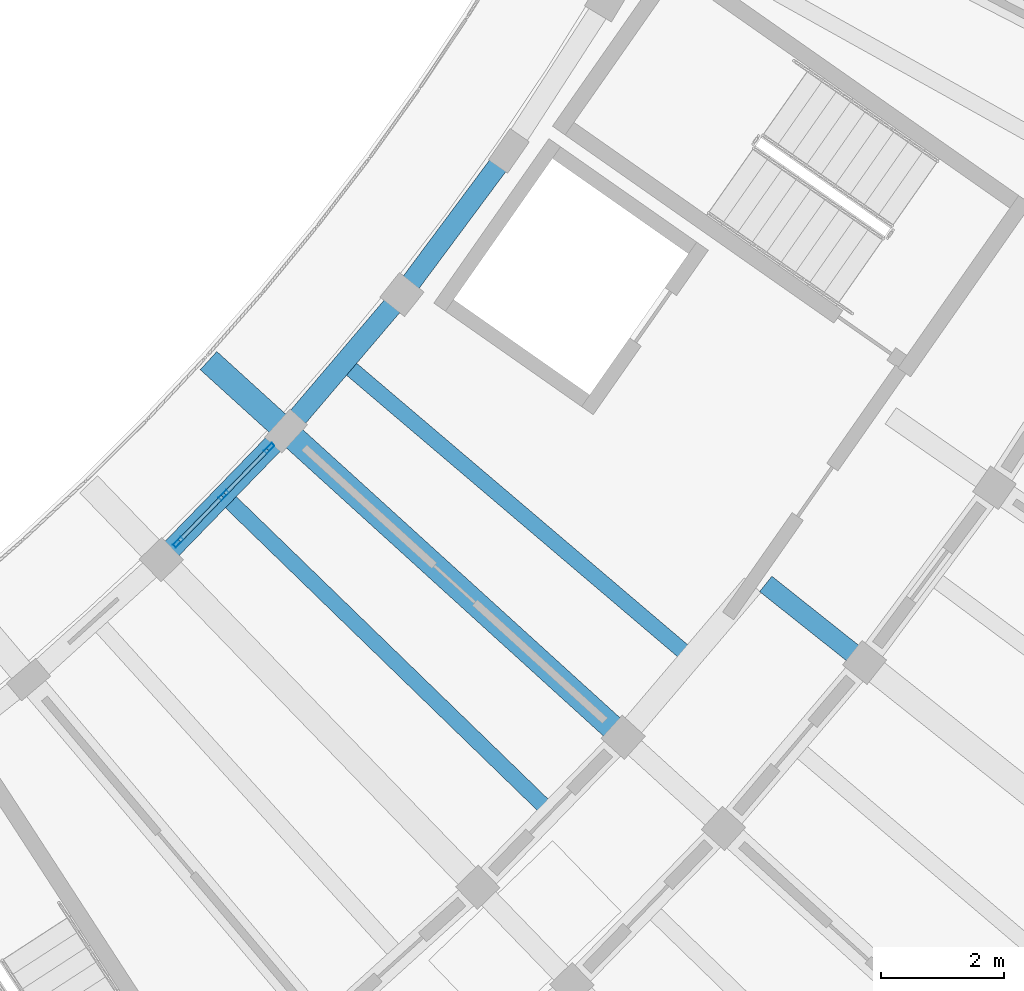
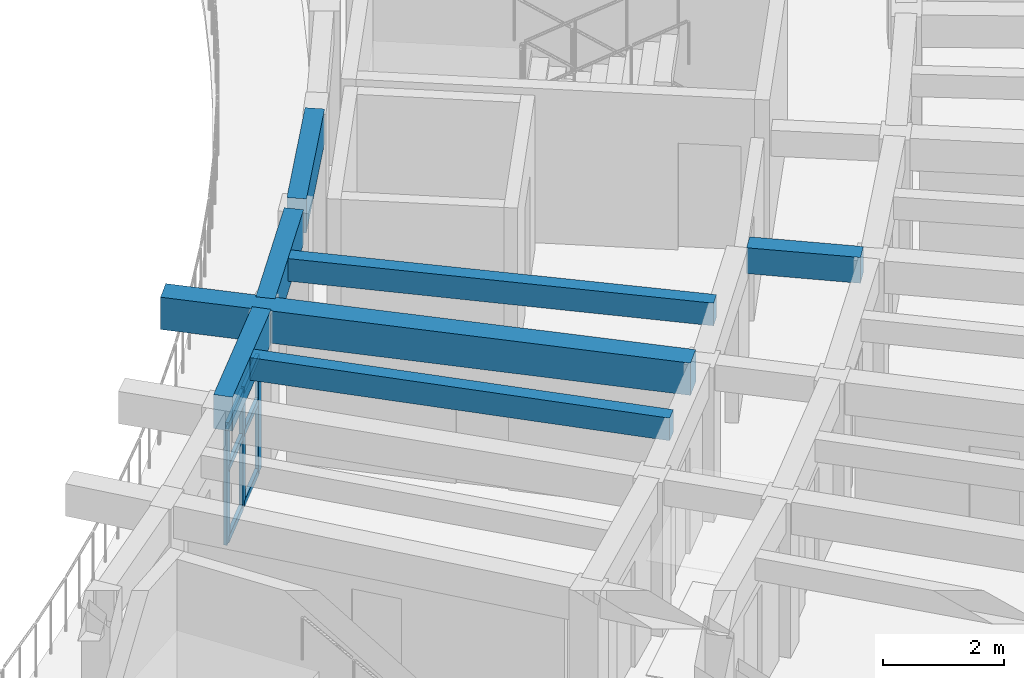
# One storey, part 22 of 83: 9 members, 7 beams, 1 element without a shape of its own.
"""IFC4 building model written with IfcOpenShell, lengths in metres."""

from ifc_helpers import new_model, si_unit, direction, frame, origin, origin_2d, place, context, subcontext, project, spatial, rectangle, hollow_rectangle, extrude, material, material_profile, profile_set, type_object, element, aggregate, save


model = new_model("IFC4")

# Units and contexts
model_context = context("Model", 3, precision=1e-05, world=origin(), true_north=direction((0.0, 1.0)))
body_context = subcontext(model_context, "Body", "Model", "MODEL_VIEW")
ifc_project = project(units=[si_unit("LENGTHUNIT", "METRE"), si_unit("AREAUNIT", "SQUARE_METRE"), si_unit("VOLUMEUNIT", "CUBIC_METRE"), si_unit("PLANEANGLEUNIT", "RADIAN"), si_unit("MASSUNIT", "GRAM", prefix="KILO")], contexts=[model_context])

# Site, building, storey
site_placement = place(None, origin())
site = spatial("IfcSite", under=ifc_project, at=site_placement, CompositionType="ELEMENT")
building_placement = place(site_placement, origin())
building = spatial("IfcBuilding", under=site, at=building_placement, Name="Tanwirah Colonnade Gardens", CompositionType="ELEMENT")
storey_placement = place(building_placement, frame((0.0, 0.0, 25.639892578125)))
storey = spatial("IfcBuildingStorey", under=building, at=storey_placement, Name="L07", CompositionType="ELEMENT", Elevation=25.639892578125)

# Beams
ifc_material_1 = material(Name="Precast concrete C40/50", Category="concrete")
ifc_material_profile_1 = material_profile(ifc_material_1, rectangle(XDim=0.320068359375, YDim=0.52001953125, at=origin_2d()), Name="PC-BM 320x520")
ifc_profile_set_1 = profile_set([ifc_material_profile_1], Name="Precast concrete C40/50")
beam_type_1 = type_object("IfcBeamType", Name="BM-PC320", PredefinedType="BEAM", material=ifc_profile_set_1)
beam_1_placement = place(storey_placement, frame((161.695556640625, 32.129150390625, 2.85009765625), z_axis=(0.782670764896, -0.622435919415, 0.0), x_axis=(0.622435919415, 0.782670764896, 0.0)))
element("IfcBeam", 1, at=beam_1_placement, inside=storey, type_object=beam_type_1, Name="Block D L07 Corridor Tie Beam 10", PredefinedType="BEAM", context=body_context, shape_type="SweptSolid", body=[
    extrude(rectangle(XDim=0.320068359375, YDim=0.52001953125, at=origin_2d()), origin(), (0.0, 0.0, 1.0), 1.89990234375),
])
ifc_material_2 = material(Name="Precast concrete C45/55", Category="concrete")
ifc_material_profile_2 = material_profile(ifc_material_2, rectangle(XDim=0.39990234375, YDim=0.64990234375, at=origin_2d()), Name="PC-BM 400x650")
ifc_profile_set_2 = profile_set([ifc_material_profile_2], Name="Precast concrete C45/55")
beam_type_2 = type_object("IfcBeamType", Name="BM-PC400", PredefinedType="BEAM", material=ifc_profile_set_2)
beam_2_placement = place(storey_placement, frame((159.269287109375, 29.738525390625, 2.78515625), z_axis=(-0.740212791446, 0.672372681911, 0.0), x_axis=(-0.672372681911, -0.740212791446, 0.0)))
element("IfcBeam", 2, at=beam_2_placement, inside=storey, type_object=beam_type_2, Name="Block D L07 Inner Radial Precast Girder 9", PredefinedType="BEAM", context=body_context, shape_type="SweptSolid", body=[
    extrude(rectangle(XDim=0.39990234375, YDim=0.64990234375, at=origin_2d()), origin(), (0.0, 0.0, 1.0), 8.9501953125),
])

# Curtain wall, members
ifc_material_3 = material(Name="Bronze-anodised aluminium and solar-control low-E glass", Category="aluminium")
curtain_wall_type = type_object("IfcCurtainWallType", Name="CW-GDN", PredefinedType="NOTDEFINED", material=ifc_material_3)
curtain_wall_placement = place(storey_placement, origin())
curtain_wall = element("IfcCurtainWall", 3, at=curtain_wall_placement, inside=storey, type_object=curtain_wall_type, Name="Curtain Wall CW-D-L07-IN-08", PredefinedType="NOTDEFINED")
ifc_material_4 = material(Name="Bronze-anodised aluminium", Category="aluminium")
ifc_material_profile_3 = material_profile(ifc_material_4, hollow_rectangle(XDim=0.06494140625, YDim=0.179931640625, WallThickness=0.00390625, at=origin_2d()), Name="CW-MUL 65x180x4")
ifc_profile_set_3 = profile_set([ifc_material_profile_3], Name="Bronze-anodised aluminium")
member_type_1 = type_object("IfcMemberType", Name="CWM-65x180", PredefinedType="MULLION", material=ifc_profile_set_3)
member_1_placement = place(storey_placement, frame((152.15087890625, 32.80712890625, 0.0), z_axis=(0.0, 0.0, 1.0), x_axis=(-0.717825107678, 0.696223466127, 0.0)))
member_1 = element("IfcMember", 4, at=member_1_placement, type_object=member_type_1, Name="CW-GDN mullion 1", PredefinedType="MULLION", context=body_context, shape_type="SweptSolid", body=[
    extrude(hollow_rectangle(XDim=0.06494140625, YDim=0.179931640625, WallThickness=0.00390625, at=origin_2d()), origin(), (0.0, 0.0, 1.0), 2.355224609375),
])
member_2_placement = place(storey_placement, frame((152.89013671875, 33.5693359375, 0.0), z_axis=(0.0, 0.0, 1.0), x_axis=(-0.717825107678, 0.696223466127, 0.0)))
member_2 = element("IfcMember", 5, at=member_2_placement, type_object=member_type_1, Name="CW-GDN mullion 2", PredefinedType="MULLION", context=body_context, shape_type="SweptSolid", body=[
    extrude(hollow_rectangle(XDim=0.06494140625, YDim=0.179931640625, WallThickness=0.00390625, at=origin_2d()), origin(), (0.0, 0.0, 1.0), 2.355224609375),
])
member_3_placement = place(storey_placement, frame((153.62939453125, 34.33154296875, 0.0), z_axis=(0.0, 0.0, 1.0), x_axis=(-0.717825107678, 0.696223466127, 0.0)))
member_3 = element("IfcMember", 6, at=member_3_placement, type_object=member_type_1, Name="CW-GDN mullion 3", PredefinedType="MULLION", context=body_context, shape_type="SweptSolid", body=[
    extrude(hollow_rectangle(XDim=0.06494140625, YDim=0.179931640625, WallThickness=0.00390625, at=origin_2d()), origin(), (0.0, 0.0, 1.0), 2.355224609375),
])
ifc_material_profile_4 = material_profile(ifc_material_4, hollow_rectangle(XDim=0.06494140625, YDim=0.135009765625, WallThickness=0.00390625, at=origin_2d()), Name="CW-TRN 65x135x4")
ifc_profile_set_4 = profile_set([ifc_material_profile_4], Name="Bronze-anodised aluminium")
member_type_2 = type_object("IfcMemberType", Name="CWT-65x135", PredefinedType="USERDEFINED", material=ifc_profile_set_4)
member_4_placement = place(storey_placement, frame((152.173583984375, 32.830322265625, 0.03271484375), z_axis=(0.696122883348, 0.717922649927, 0.0), x_axis=(-0.717922649927, 0.696122883348, 0.0)))
member_4 = element("IfcMember", 7, at=member_4_placement, type_object=member_type_2, Name="CW-GDN transom 1.1", ObjectType="TRANSOM", PredefinedType="USERDEFINED", context=body_context, shape_type="SweptSolid", body=[
    extrude(hollow_rectangle(XDim=0.06494140625, YDim=0.135009765625, WallThickness=0.00390625, at=origin_2d()), origin(), (0.0, 0.0, 1.0), 0.996826171875),
])
member_5_placement = place(storey_placement, frame((152.173583984375, 32.830322265625, 1.460205078125), z_axis=(0.696122883348, 0.717922649927, 0.0), x_axis=(-0.717922649927, 0.696122883348, 0.0)))
member_5 = element("IfcMember", 8, at=member_5_placement, type_object=member_type_2, Name="CW-GDN transom 1.2", ObjectType="TRANSOM", PredefinedType="USERDEFINED", context=body_context, shape_type="SweptSolid", body=[
    extrude(hollow_rectangle(XDim=0.06494140625, YDim=0.135009765625, WallThickness=0.00390625, at=origin_2d()), origin(), (0.0, 0.0, 1.0), 0.996826171875),
])
member_6_placement = place(storey_placement, frame((152.173583984375, 32.830322265625, 2.322509765625), z_axis=(0.696122883348, 0.717922649927, 0.0), x_axis=(-0.717922649927, 0.696122883348, 0.0)))
member_6 = element("IfcMember", 9, at=member_6_placement, type_object=member_type_2, Name="CW-GDN transom 1.3", ObjectType="TRANSOM", PredefinedType="USERDEFINED", context=body_context, shape_type="SweptSolid", body=[
    extrude(hollow_rectangle(XDim=0.06494140625, YDim=0.135009765625, WallThickness=0.00390625, at=origin_2d()), origin(), (0.0, 0.0, 1.0), 0.996826171875),
])
member_7_placement = place(storey_placement, frame((152.912841796875, 33.592529296875, 0.03271484375), z_axis=(0.696122883348, 0.717922649927, 0.0), x_axis=(-0.717922649927, 0.696122883348, 0.0)))
member_7 = element("IfcMember", 10, at=member_7_placement, type_object=member_type_2, Name="CW-GDN transom 2.1", ObjectType="TRANSOM", PredefinedType="USERDEFINED", context=body_context, shape_type="SweptSolid", body=[
    extrude(hollow_rectangle(XDim=0.06494140625, YDim=0.135009765625, WallThickness=0.00390625, at=origin_2d()), origin(), (0.0, 0.0, 1.0), 0.996826171875),
])
member_8_placement = place(storey_placement, frame((152.912841796875, 33.592529296875, 1.460205078125), z_axis=(0.696122883348, 0.717922649927, 0.0), x_axis=(-0.717922649927, 0.696122883348, 0.0)))
member_8 = element("IfcMember", 11, at=member_8_placement, type_object=member_type_2, Name="CW-GDN transom 2.2", ObjectType="TRANSOM", PredefinedType="USERDEFINED", context=body_context, shape_type="SweptSolid", body=[
    extrude(hollow_rectangle(XDim=0.06494140625, YDim=0.135009765625, WallThickness=0.00390625, at=origin_2d()), origin(), (0.0, 0.0, 1.0), 0.996826171875),
])
member_9_placement = place(storey_placement, frame((152.912841796875, 33.592529296875, 2.322509765625), z_axis=(0.696122883348, 0.717922649927, 0.0), x_axis=(-0.717922649927, 0.696122883348, 0.0)))
member_9 = element("IfcMember", 12, at=member_9_placement, type_object=member_type_2, Name="CW-GDN transom 2.3", ObjectType="TRANSOM", PredefinedType="USERDEFINED", context=body_context, shape_type="SweptSolid", body=[
    extrude(hollow_rectangle(XDim=0.06494140625, YDim=0.135009765625, WallThickness=0.00390625, at=origin_2d()), origin(), (0.0, 0.0, 1.0), 0.996826171875),
])
aggregate(curtain_wall, [member_1, member_2, member_3, member_4, member_5, member_6, member_7, member_8, member_9])

# Beams
ifc_material_profile_5 = material_profile(ifc_material_1, rectangle(XDim=0.2548828125, YDim=0.455078125, at=origin_2d()), Name="PC-JST 255x455")
ifc_profile_set_5 = profile_set([ifc_material_profile_5], Name="Precast concrete C40/50")
beam_type_3 = type_object("IfcBeamType", Name="JST-PC240", PredefinedType="JOIST", material=ifc_profile_set_5)
beam_3_placement = place(storey_placement, frame((152.993408203125, 33.46923828125, 2.882568359375), z_axis=(0.717816218075, -0.69623263143, 0.0), x_axis=(0.69623263143, 0.717816218075, 0.0)))
element("IfcBeam", 13, at=beam_3_placement, inside=storey, type_object=beam_type_3, Name="Block D L07 Inner Precast Floor Joist 8", PredefinedType="JOIST", context=body_context, shape_type="SweptSolid", body=[
    extrude(rectangle(XDim=0.2548828125, YDim=0.455078125, at=origin_2d()), origin(), (0.0, 0.0, 1.0), 7.16015625),
])
beam_4_placement = place(storey_placement, frame((154.954345703125, 35.628173828125, 2.882568359375), z_axis=(0.761816472242, -0.647792916464, 0.0), x_axis=(0.647792916464, 0.761816472242, 0.0)))
element("IfcBeam", 14, at=beam_4_placement, inside=storey, type_object=beam_type_3, Name="Block D L07 Inner Precast Floor Joist 9", PredefinedType="JOIST", context=body_context, shape_type="SweptSolid", body=[
    extrude(rectangle(XDim=0.2548828125, YDim=0.455078125, at=origin_2d()), origin(), (0.0, 0.0, 1.0), 7.159912109375),
])
ifc_material_profile_6 = material_profile(ifc_material_1, rectangle(XDim=0.324951171875, YDim=0.68505859375, at=origin_2d()), Name="PC-SP 325x685")
ifc_profile_set_6 = profile_set([ifc_material_profile_6], Name="Precast concrete C40/50")
beam_type_4 = type_object("IfcBeamType", Name="SP-PC260", PredefinedType="SPANDREL", material=ifc_profile_set_6)
beam_5_placement = place(storey_placement, frame((151.98193359375, 32.633056640625, 2.767578125), z_axis=(0.696262751108, 0.717787002822, 0.0), x_axis=(-0.717787002822, 0.696262751108, 0.0)))
element("IfcBeam", 15, at=beam_5_placement, inside=storey, type_object=beam_type_4, Name="Block D L07 Circumferential Beam 8-R0", PredefinedType="SPANDREL", context=body_context, shape_type="SweptSolid", body=[
    extrude(rectangle(XDim=0.324951171875, YDim=0.68505859375, at=origin_2d()), origin(), (0.0, 0.0, 1.0), 2.60888671875),
])
beam_6_placement = place(storey_placement, frame((153.999755859375, 34.7275390625, 2.767578125), z_axis=(0.647811402053, 0.761800753065, 0.0), x_axis=(-0.761800753065, 0.647811402053, 0.0)))
element("IfcBeam", 16, at=beam_6_placement, inside=storey, type_object=beam_type_4, Name="Block D L07 Circumferential Beam 9-R0", PredefinedType="SPANDREL", context=body_context, shape_type="SweptSolid", body=[
    extrude(rectangle(XDim=0.324951171875, YDim=0.68505859375, at=origin_2d()), origin(), (0.0, 0.0, 1.0), 2.608642578125),
])
beam_7_placement = place(storey_placement, frame((155.87646484375, 36.94970703125, 2.767578125), z_axis=(0.596565220249, 0.802564600508, 0.0), x_axis=(-0.802564600508, 0.596565220249, 0.0)))
element("IfcBeam", 17, at=beam_7_placement, inside=storey, type_object=beam_type_4, Name="Block D L07 Circumferential Beam 10-R0", PredefinedType="SPANDREL", context=body_context, shape_type="SweptSolid", body=[
    extrude(rectangle(XDim=0.324951171875, YDim=0.68505859375, at=origin_2d()), origin(), (0.0, 0.0, 1.0), 2.6083984375),
])

save(model, "model.ifc")
